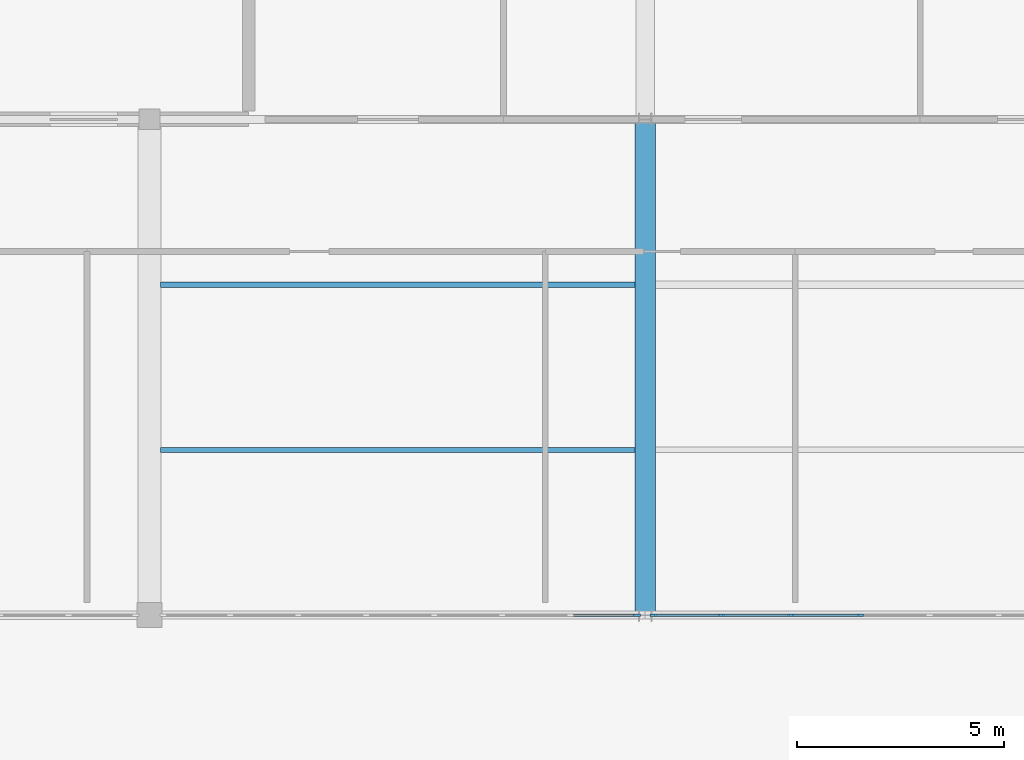
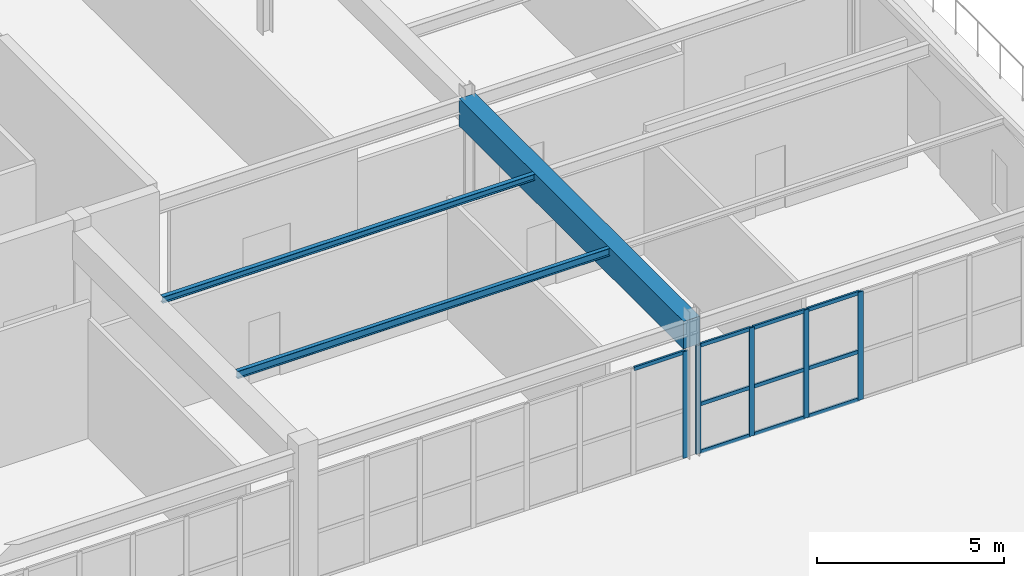
# One storey, part 104 of 199: 15 members, 3 beams, 2 elements without a shape of their own.
"""IFC4 building model written with IfcOpenShell, lengths in metres."""

from ifc_helpers import new_model, si_unit, direction, frame, origin, origin_2d, place, context, subcontext, project, spatial, rectangle, i_section, extrude, material, layer, layer_set, material_profile, profile_set, type_object, element, aggregate, save


model = new_model("IFC4")

# Units and contexts
model_context = context("Model", 3, precision=1e-05, world=origin(), true_north=direction((0.0, 1.0)))
body_context = subcontext(model_context, "Body", "Model", "MODEL_VIEW")
ifc_project = project(units=[si_unit("LENGTHUNIT", "METRE"), si_unit("AREAUNIT", "SQUARE_METRE"), si_unit("VOLUMEUNIT", "CUBIC_METRE"), si_unit("PLANEANGLEUNIT", "RADIAN"), si_unit("MASSUNIT", "GRAM", prefix="KILO")], contexts=[model_context])

# Site, building, storey
site_placement = place(None, origin())
site = spatial("IfcSite", under=ifc_project, at=site_placement, CompositionType="ELEMENT")
building_placement = place(site_placement, origin())
building = spatial("IfcBuilding", under=site, at=building_placement, Name="Tarnwether General Hospital", CompositionType="ELEMENT")
storey_placement = place(building_placement, origin())
storey = spatial("IfcBuildingStorey", under=building, at=storey_placement, Name="L00", CompositionType="ELEMENT", Elevation=0.0)

# Beams
ifc_material_1 = material(Name="Concrete 40 MPa", Category="concrete")
ifc_material_profile_1 = material_profile(ifc_material_1, rectangle(XDim=0.5, YDim=0.89990234375, at=origin_2d()), Name="RC-BM-500x900")
ifc_profile_set_1 = profile_set([ifc_material_profile_1], Name="Concrete 40 MPa")
beam_type_1 = type_object("IfcBeamType", Name="BM-G12", PredefinedType="BEAM", material=ifc_profile_set_1)
beam_1_placement = place(storey_placement, frame((180.0, 81.60009765625, 3.9951171875), z_axis=(0.0, 1.0, 0.0), x_axis=(-1.0, 0.0, 0.0)))
element("IfcBeam", 1, at=beam_1_placement, inside=storey, type_object=beam_type_1, Name="Primary Girder BMG-L00-18000_8160-18000_9360-0847", PredefinedType="BEAM", context=body_context, shape_type="SweptSolid", body=[
    extrude(rectangle(XDim=0.5, YDim=0.89990234375, at=origin_2d()), origin(), (0.0, 0.0, 1.0), 12.0),
])
ifc_material_2 = material(Name="Steel Grade 350 (350 MPa)", Category="steel")
ifc_material_profile_2 = material_profile(ifc_material_2, i_section(OverallWidth=0.1240234375, OverallDepth=0.248046875, WebThickness=0.0048828125, FlangeThickness=0.008056640625, at=origin_2d()), Name="250UB25.7")
ifc_profile_set_2 = profile_set([ifc_material_profile_2], Name="Steel Grade 350 (350 MPa)")
beam_type_2 = type_object("IfcBeamType", Name="BM-J11", PredefinedType="JOIST", material=ifc_profile_set_2)
beam_2_placement = place(storey_placement, frame((168.26904296875, 85.60009765625, 4.321044921875), z_axis=(1.0, 0.0, 0.0), x_axis=(0.0, 1.0, 0.0)))
element("IfcBeam", 2, at=beam_2_placement, inside=storey, type_object=beam_type_2, Name="Composite Floor Joist BMG-L00-16827_8560-17976_8560-1023", PredefinedType="JOIST", context=body_context, shape_type="SweptSolid", body=[
    extrude(i_section(OverallWidth=0.1240234375, OverallDepth=0.248046875, WebThickness=0.0048828125, FlangeThickness=0.008056640625, at=origin_2d()), origin(), (0.0, 0.0, 1.0), 11.487060546875),
])
ifc_material_3 = material(Name="Steel Grade 350 (350 MPa)", Category="steel")
ifc_material_profile_3 = material_profile(ifc_material_3, i_section(OverallWidth=0.134033203125, OverallDepth=0.20703125, WebThickness=0.00634765625, FlangeThickness=0.009521484375, at=origin_2d()), Name="200UB29.8")
ifc_profile_set_3 = profile_set([ifc_material_profile_3], Name="Steel Grade 350 (350 MPa)")
beam_type_3 = type_object("IfcBeamType", Name="BM-J12", PredefinedType="JOIST", material=ifc_profile_set_3)
beam_3_placement = place(storey_placement, frame((168.26904296875, 89.60009765625, 4.341552734375), z_axis=(1.0, 0.0, 0.0), x_axis=(0.0, 1.0, 0.0)))
element("IfcBeam", 3, at=beam_3_placement, inside=storey, type_object=beam_type_3, Name="Composite Floor Joist BMG-L00-16827_8960-17976_8960-1024", PredefinedType="JOIST", context=body_context, shape_type="SweptSolid", body=[
    extrude(i_section(OverallWidth=0.134033203125, OverallDepth=0.20703125, WebThickness=0.00634765625, FlangeThickness=0.009521484375, at=origin_2d()), origin(), (0.0, 0.0, 1.0), 11.487060546875),
])

# Curtain wall, members
ifc_material_4 = material(Name="Anodised aluminium", Category="aluminium")
ifc_layer = layer(ifc_material_4, 0.159912109375)
ifc_layer_set = layer_set([ifc_layer], Name="Anodised aluminium")
curtain_wall_type = type_object("IfcCurtainWallType", Name="CW-20", PredefinedType="NOTDEFINED", material=ifc_layer_set)
curtain_wall_1_placement = place(storey_placement, origin())
curtain_wall_1 = element("IfcCurtainWall", 4, at=curtain_wall_1_placement, inside=storey, type_object=curtain_wall_type, Name="Curtain Wall CWG-L00-1919_816-0290", PredefinedType="NOTDEFINED")
ifc_material_5 = material(Name="Anodised aluminium", Category="aluminium")
ifc_material_profile_4 = material_profile(ifc_material_5, rectangle(XDim=0.06005859375, YDim=0.159912109375, at=origin_2d()), Name="ALU-MUL-60x160")
ifc_profile_set_4 = profile_set([ifc_material_profile_4], Name="Anodised aluminium")
member_type_1 = type_object("IfcMemberType", Name="CW-ML1", PredefinedType="MULLION", material=ifc_profile_set_4)
member_1_placement = place(storey_placement, frame((185.202880859375, 81.60009765625, 0.0), z_axis=(0.0, 0.0, 1.0), x_axis=(0.0, -1.0, 0.0)))
member_1 = element("IfcMember", 5, at=member_1_placement, type_object=member_type_1, Name="CW-20 mullion 5", PredefinedType="MULLION", context=body_context, shape_type="SweptSolid", body=[
    extrude(rectangle(XDim=0.06005859375, YDim=0.159912109375, at=origin_2d()), origin(), (0.0, 0.0, 1.0), 3.530029296875),
])
member_2_placement = place(storey_placement, frame((183.524658203125, 81.60009765625, 0.0), z_axis=(0.0, 0.0, 1.0), x_axis=(0.0, -1.0, 0.0)))
member_2 = element("IfcMember", 6, at=member_2_placement, type_object=member_type_1, Name="CW-20 mullion 6", PredefinedType="MULLION", context=body_context, shape_type="SweptSolid", body=[
    extrude(rectangle(XDim=0.06005859375, YDim=0.159912109375, at=origin_2d()), origin(), (0.0, 0.0, 1.0), 3.530029296875),
])
member_3_placement = place(storey_placement, frame((181.84619140625, 81.60009765625, 0.0), z_axis=(0.0, 0.0, 1.0), x_axis=(0.0, -1.0, 0.0)))
member_3 = element("IfcMember", 7, at=member_3_placement, type_object=member_type_1, Name="CW-20 mullion 7", PredefinedType="MULLION", context=body_context, shape_type="SweptSolid", body=[
    extrude(rectangle(XDim=0.06005859375, YDim=0.159912109375, at=origin_2d()), origin(), (0.0, 0.0, 1.0), 3.530029296875),
])
member_4_placement = place(storey_placement, frame((180.197998046875, 81.60009765625, 0.0), z_axis=(0.0, 0.0, 1.0), x_axis=(0.0, -1.0, 0.0)))
member_4 = element("IfcMember", 8, at=member_4_placement, type_object=member_type_1, Name="CW-20 mullion 8", PredefinedType="MULLION", context=body_context, shape_type="SweptSolid", body=[
    extrude(rectangle(XDim=0.06005859375, YDim=0.159912109375, at=origin_2d()), origin(), (0.0, 0.0, 1.0), 3.530029296875),
])

# Curtain wall, member
curtain_wall_2_placement = place(storey_placement, origin())
curtain_wall_2 = element("IfcCurtainWall", 9, at=curtain_wall_2_placement, inside=storey, type_object=curtain_wall_type, Name="Curtain Wall CWG-L00-1798_816-0291", PredefinedType="NOTDEFINED")
member_5_placement = place(storey_placement, frame((179.802001953125, 81.60009765625, 0.0), z_axis=(0.0, 0.0, 1.0), x_axis=(0.0, -1.0, 0.0)))
member_5 = element("IfcMember", 10, at=member_5_placement, type_object=member_type_1, Name="CW-20 mullion 1", PredefinedType="MULLION", context=body_context, shape_type="SweptSolid", body=[
    extrude(rectangle(XDim=0.06005859375, YDim=0.159912109375, at=origin_2d()), origin(), (0.0, 0.0, 1.0), 3.47998046875),
])

# Member
ifc_material_6 = material(Name="Anodised aluminium", Category="aluminium")
ifc_material_profile_5 = material_profile(ifc_material_6, rectangle(XDim=0.06005859375, YDim=0.1201171875, at=origin_2d()), Name="ALU-TRN-60x120")
ifc_profile_set_5 = profile_set([ifc_material_profile_5], Name="Anodised aluminium")
member_type_2 = type_object("IfcMemberType", Name="CW-TR1", PredefinedType="USERDEFINED", material=ifc_profile_set_5)
member_6_placement = place(storey_placement, frame((185.1728515625, 81.60009765625, 0.030029296875), z_axis=(-1.0, 0.0, 0.0), x_axis=(0.0, -1.0, 0.0)))
member_6 = element("IfcMember", 11, at=member_6_placement, type_object=member_type_2, Name="CW-20 transom 5.1", ObjectType="TRANSOM", PredefinedType="USERDEFINED", context=body_context, shape_type="SweptSolid", body=[
    extrude(rectangle(XDim=0.06005859375, YDim=0.1201171875, at=origin_2d()), origin(), (0.0, 0.0, 1.0), 1.6181640625),
])

member_7_placement = place(storey_placement, frame((185.1728515625, 81.60009765625, 1.58837890625), z_axis=(-1.0, 0.0, 0.0), x_axis=(0.0, -1.0, 0.0)))
member_7 = element("IfcMember", 12, at=member_7_placement, type_object=member_type_2, Name="CW-20 transom 5.2", ObjectType="TRANSOM", PredefinedType="USERDEFINED", context=body_context, shape_type="SweptSolid", body=[
    extrude(rectangle(XDim=0.06005859375, YDim=0.1201171875, at=origin_2d()), origin(), (0.0, 0.0, 1.0), 1.6181640625),
])

member_8_placement = place(storey_placement, frame((185.1728515625, 81.60009765625, 3.5), z_axis=(-1.0, 0.0, 0.0), x_axis=(0.0, -1.0, 0.0)))
member_8 = element("IfcMember", 13, at=member_8_placement, type_object=member_type_2, Name="CW-20 transom 5.3", ObjectType="TRANSOM", PredefinedType="USERDEFINED", context=body_context, shape_type="SweptSolid", body=[
    extrude(rectangle(XDim=0.06005859375, YDim=0.1201171875, at=origin_2d()), origin(), (0.0, 0.0, 1.0), 1.6181640625),
])

member_9_placement = place(storey_placement, frame((183.49462890625, 81.60009765625, 0.030029296875), z_axis=(-1.0, 0.0, 0.0), x_axis=(0.0, -1.0, 0.0)))
member_9 = element("IfcMember", 14, at=member_9_placement, type_object=member_type_2, Name="CW-20 transom 6.1", ObjectType="TRANSOM", PredefinedType="USERDEFINED", context=body_context, shape_type="SweptSolid", body=[
    extrude(rectangle(XDim=0.06005859375, YDim=0.1201171875, at=origin_2d()), origin(), (0.0, 0.0, 1.0), 1.618408203125),
])

member_10_placement = place(storey_placement, frame((183.49462890625, 81.60009765625, 1.58837890625), z_axis=(-1.0, 0.0, 0.0), x_axis=(0.0, -1.0, 0.0)))
member_10 = element("IfcMember", 15, at=member_10_placement, type_object=member_type_2, Name="CW-20 transom 6.2", ObjectType="TRANSOM", PredefinedType="USERDEFINED", context=body_context, shape_type="SweptSolid", body=[
    extrude(rectangle(XDim=0.06005859375, YDim=0.1201171875, at=origin_2d()), origin(), (0.0, 0.0, 1.0), 1.618408203125),
])

member_11_placement = place(storey_placement, frame((183.49462890625, 81.60009765625, 3.5), z_axis=(-1.0, 0.0, 0.0), x_axis=(0.0, -1.0, 0.0)))
member_11 = element("IfcMember", 16, at=member_11_placement, type_object=member_type_2, Name="CW-20 transom 6.3", ObjectType="TRANSOM", PredefinedType="USERDEFINED", context=body_context, shape_type="SweptSolid", body=[
    extrude(rectangle(XDim=0.06005859375, YDim=0.1201171875, at=origin_2d()), origin(), (0.0, 0.0, 1.0), 1.618408203125),
])

member_12_placement = place(storey_placement, frame((181.81640625, 81.60009765625, 0.030029296875), z_axis=(-1.0, 0.0, 0.0), x_axis=(0.0, -1.0, 0.0)))
member_12 = element("IfcMember", 17, at=member_12_placement, type_object=member_type_2, Name="CW-20 transom 7.1", ObjectType="TRANSOM", PredefinedType="USERDEFINED", context=body_context, shape_type="SweptSolid", body=[
    extrude(rectangle(XDim=0.06005859375, YDim=0.1201171875, at=origin_2d()), origin(), (0.0, 0.0, 1.0), 1.58837890625),
])

member_13_placement = place(storey_placement, frame((181.81640625, 81.60009765625, 1.58837890625), z_axis=(-1.0, 0.0, 0.0), x_axis=(0.0, -1.0, 0.0)))
member_13 = element("IfcMember", 18, at=member_13_placement, type_object=member_type_2, Name="CW-20 transom 7.2", ObjectType="TRANSOM", PredefinedType="USERDEFINED", context=body_context, shape_type="SweptSolid", body=[
    extrude(rectangle(XDim=0.06005859375, YDim=0.1201171875, at=origin_2d()), origin(), (0.0, 0.0, 1.0), 1.58837890625),
])

member_14_placement = place(storey_placement, frame((181.81640625, 81.60009765625, 3.5), z_axis=(-1.0, 0.0, 0.0), x_axis=(0.0, -1.0, 0.0)))
member_14 = element("IfcMember", 19, at=member_14_placement, type_object=member_type_2, Name="CW-20 transom 7.3", ObjectType="TRANSOM", PredefinedType="USERDEFINED", context=body_context, shape_type="SweptSolid", body=[
    extrude(rectangle(XDim=0.06005859375, YDim=0.1201171875, at=origin_2d()), origin(), (0.0, 0.0, 1.0), 1.58837890625),
])

aggregate(curtain_wall_1, [member_1, member_2, member_3, member_4, member_6, member_7, member_8, member_9, member_10, member_11, member_12, member_13, member_14])

member_15_placement = place(storey_placement, frame((179.77197265625, 81.60009765625, 3.449951171875), z_axis=(-1.0, 0.0, 0.0), x_axis=(0.0, -1.0, 0.0)))
member_15 = element("IfcMember", 20, at=member_15_placement, type_object=member_type_2, Name="CW-20 transom 1.3", ObjectType="TRANSOM", PredefinedType="USERDEFINED", context=body_context, shape_type="SweptSolid", body=[
    extrude(rectangle(XDim=0.06005859375, YDim=0.1201171875, at=origin_2d()), origin(), (0.0, 0.0, 1.0), 1.55615234375),
])

aggregate(curtain_wall_2, [member_5, member_15])

save(model, "model.ifc")
